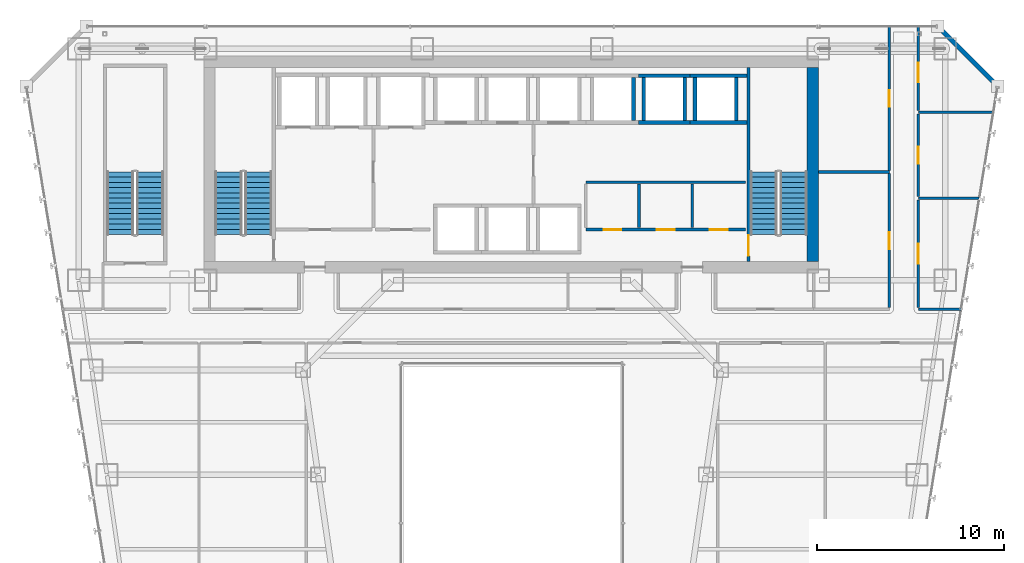
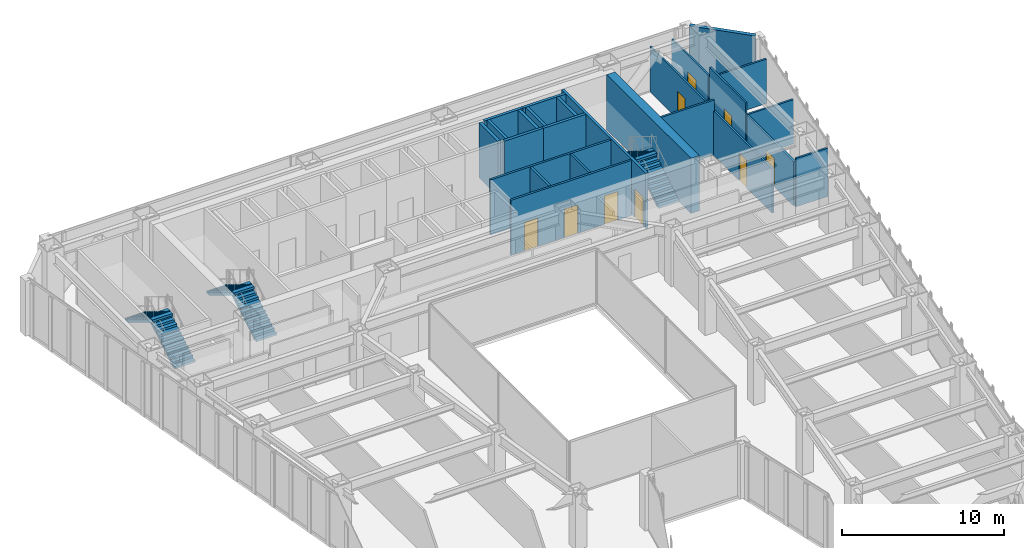
# One storey, part 38 of 49: 25 walls, 9 doors, 6 stair flights, 9 openings, 3 elements without a shape of their own.
"""IFC4 building model written with IfcOpenShell, lengths in metres."""

from ifc_helpers import new_model, si_unit, direction, frame, frame_2d, origin, place, context, subcontext, project, spatial, polyline, rectangle, outline, extrude, material, layer, layer_set, type_object, element, fill, aggregate, save


model = new_model("IFC4")

# Units and contexts
model_context = context("Model", 3, precision=1e-05, world=origin(), true_north=direction((0.0, 1.0)))
body_context = subcontext(model_context, "Body", "Model", "MODEL_VIEW")
ifc_project = project(units=[si_unit("LENGTHUNIT", "METRE"), si_unit("AREAUNIT", "SQUARE_METRE"), si_unit("VOLUMEUNIT", "CUBIC_METRE"), si_unit("PLANEANGLEUNIT", "RADIAN"), si_unit("MASSUNIT", "GRAM", prefix="KILO")], contexts=[model_context])

# Site, building, storey
site_placement = place(None, origin())
site = spatial("IfcSite", under=ifc_project, at=site_placement, CompositionType="ELEMENT")
building_placement = place(site_placement, origin())
building = spatial("IfcBuilding", under=site, at=building_placement, Name="Saevonmaru Cultural Tower", CompositionType="ELEMENT")
storey_placement = place(building_placement, frame((0.0, 0.0, 73.60009765625)))
storey = spatial("IfcBuildingStorey", under=building, at=storey_placement, Name="L15", CompositionType="ELEMENT", Elevation=73.60009765625)

# Wall
ifc_material_1 = material(Name="Concrete C60/75", Category="concrete")
ifc_layer_1 = layer(ifc_material_1, 0.60009765625, Name="Concrete C60/75")
ifc_layer_set_1 = layer_set([ifc_layer_1], Name="Concrete C60/75")
wall_type_1 = type_object("IfcWallType", Name="WL-CORE-600", PredefinedType="SHEAR", material=ifc_layer_set_1)
wall_1_placement = place(storey_placement, frame((46.10009765625, 43.39990234375, 0.0), z_axis=(0.0, 0.0, 1.0), x_axis=(0.0, 1.0, 0.0)))
element("IfcWall", 1, at=wall_1_placement, inside=storey, type_object=wall_type_1, Name="L15 Tower RC core shear wall E", PredefinedType="SHEAR", context=body_context, shape_type="SweptSolid", body=[
    extrude(rectangle(XDim=10.400146484375, YDim=0.60009765625, at=frame_2d((5.2001953125, 0.0))), origin(), (0.0, 0.0, 1.0), 4.14990234375),
])

# Wall, openings, doors
ifc_material_2 = material(Name="Gypsum Fireboard Partition", Category="gypsum")
ifc_layer_2 = layer(ifc_material_2, 0.14990234375, Name="Gypsum Fireboard Partition")
ifc_layer_set_2 = layer_set([ifc_layer_2], Name="Gypsum Fireboard Partition")
wall_type_2 = type_object("IfcWallType", Name="WL-CORE-PART-150", PredefinedType="PARTITIONING", material=ifc_layer_set_2)
wall_2_placement = place(storey_placement, frame((33.949951171875, 45.1201171875, 0.0), z_axis=(0.0, 0.0, 1.0), x_axis=(1.0, 0.0, 0.0)))
wall_2 = element("IfcWall", 2, at=wall_2_placement, inside=storey, type_object=wall_type_2, Name="L15 Core Utility South Wall", PredefinedType="PARTITIONING", context=body_context, shape_type="SweptSolid", body=[
    extrude(rectangle(XDim=8.550048828125, YDim=0.14990234375, at=frame_2d((4.27490234375, 0.0))), origin(), (0.0, 0.0, 1.0), 4.14990234375),
])
opening_1_placement = place(wall_2_placement, frame((0.949951171875, 0.0, 0.0)))
opening_1 = element("IfcOpeningElement", 3, at=opening_1_placement, cuts=wall_2, Name="Opening FD-4", PredefinedType="OPENING", context=body_context, shape_type="SweptSolid", body=[
    extrude(rectangle(XDim=0.949951171875, YDim=2.14990234375, at=frame_2d((0.47509765625, 1.074951171875))), frame((0.0, 0.0849609375, 0.0), z_axis=(0.0, -1.0, 0.0), x_axis=(1.0, 0.0, 0.0)), (0.0, 0.0, 1.0), 0.169921875),
])
opening_2_placement = place(wall_2_placement, frame((3.800048828125, 0.0, 0.0)))
opening_2 = element("IfcOpeningElement", 4, at=opening_2_placement, cuts=wall_2, Name="Opening FD-4", PredefinedType="OPENING", context=body_context, shape_type="SweptSolid", body=[
    extrude(rectangle(XDim=0.949951171875, YDim=2.14990234375, at=frame_2d((0.47509765625, 1.074951171875))), frame((0.0, 0.0849609375, 0.0), z_axis=(0.0, -1.0, 0.0), x_axis=(1.0, 0.0, 0.0)), (0.0, 0.0, 1.0), 0.169921875),
])
opening_3_placement = place(wall_2_placement, frame((6.64990234375, 0.0, 0.0)))
opening_3 = element("IfcOpeningElement", 5, at=opening_3_placement, cuts=wall_2, Name="Opening FD-4", PredefinedType="OPENING", context=body_context, shape_type="SweptSolid", body=[
    extrude(rectangle(XDim=0.949951171875, YDim=2.14990234375, at=frame_2d((0.47509765625, 1.074951171875))), frame((0.0, 0.0849609375, 0.0), z_axis=(0.0, -1.0, 0.0), x_axis=(1.0, 0.0, 0.0)), (0.0, 0.0, 1.0), 0.169921875),
])
ifc_material_3 = material(Name="Satin Bronze Anodised Aluminium", Category="aluminium")
door_type_1 = type_object("IfcDoorType", Name="DR-FD60-950", OperationType="SINGLE_SWING_LEFT", PredefinedType="DOOR", material=ifc_material_3)
door_1_placement = place(opening_1_placement, origin())
door_1 = element("IfcDoor", 6, at=door_1_placement, inside=storey, type_object=door_type_1, Name="L15 Meter Plant Door", OperationType="SINGLE_SWING_LEFT", OverallHeight=2.14990234375, OverallWidth=0.949951171875, PredefinedType="DOOR", context=body_context, shape_type="SweptSolid", body=[
    extrude(rectangle(XDim=0.949951171875, YDim=2.14990234375, at=frame_2d((0.47509765625, 1.074951171875))), frame((0.0, 0.02490234375, 0.0), z_axis=(0.0, -1.0, 0.0), x_axis=(1.0, 0.0, 0.0)), (0.0, 0.0, 1.0), 0.050048828125),
])
fill(opening_1, door_1)
door_2_placement = place(opening_2_placement, origin())
door_2 = element("IfcDoor", 7, at=door_2_placement, inside=storey, type_object=door_type_1, Name="L15 AV Rack Plant Door", OperationType="SINGLE_SWING_LEFT", OverallHeight=2.14990234375, OverallWidth=0.949951171875, PredefinedType="DOOR", context=body_context, shape_type="SweptSolid", body=[
    extrude(rectangle(XDim=0.949951171875, YDim=2.14990234375, at=frame_2d((0.47509765625, 1.074951171875))), frame((0.0, 0.02490234375, 0.0), z_axis=(0.0, -1.0, 0.0), x_axis=(1.0, 0.0, 0.0)), (0.0, 0.0, 1.0), 0.050048828125),
])
fill(opening_2, door_2)
door_3_placement = place(opening_3_placement, origin())
door_3 = element("IfcDoor", 8, at=door_3_placement, inside=storey, type_object=door_type_1, Name="L15 Archive Supply Storage Door", OperationType="SINGLE_SWING_LEFT", OverallHeight=2.14990234375, OverallWidth=0.949951171875, PredefinedType="DOOR", context=body_context, shape_type="SweptSolid", body=[
    extrude(rectangle(XDim=0.949951171875, YDim=2.14990234375, at=frame_2d((0.47509765625, 1.074951171875))), frame((0.0, 0.02490234375, 0.0), z_axis=(0.0, -1.0, 0.0), x_axis=(1.0, 0.0, 0.0)), (0.0, 0.0, 1.0), 0.050048828125),
])
fill(opening_3, door_3)

# Walls
wall_3_placement = place(storey_placement, frame((33.949951171875, 47.64990234375, 0.0), z_axis=(0.0, 0.0, 1.0), x_axis=(1.0, 0.0, 0.0)))
element("IfcWall", 9, at=wall_3_placement, inside=storey, type_object=wall_type_2, Name="L15 Core Utility North Wall", PredefinedType="PARTITIONING", context=body_context, shape_type="SweptSolid", body=[
    extrude(rectangle(XDim=8.550048828125, YDim=0.14990234375, at=frame_2d((4.27490234375, 0.0))), origin(), (0.0, 0.0, 1.0), 4.14990234375),
])
for number, where, z_axis, x_axis, name in (
    (10, (36.800048828125, 45.219970703125, 0.0), (0.0, 0.0, 1.0), (0.0, 1.0, 0.0), "L15 Utility Divider 1"),
    (11, (39.64990234375, 45.219970703125, 0.0), (0.0, 0.0, 1.0), (0.0, 1.0, 0.0), "L15 Utility Divider 2"),
):
    element("IfcWall", number, at=place(storey_placement, frame(where, z_axis=z_axis, x_axis=x_axis)), inside=storey, type_object=wall_type_2, Name=name, PredefinedType="PARTITIONING", context=body_context, shape_type="SweptSolid", body=[
        extrude(rectangle(XDim=2.330078125, YDim=0.14990234375, at=frame_2d((1.1650390625, 0.0))), origin(), (0.0, 0.0, 1.0), 4.14990234375),
    ])
ifc_material_4 = material(Name="Granite-Clad Precast Concrete C40/50", Category="masonry")
ifc_layer_3 = layer(ifc_material_4, 0.260009765625, Name="Granite-Clad Precast Concrete C40/50")
ifc_layer_set_3 = layer_set([ifc_layer_3], Name="Granite-Clad Precast Concrete C40/50")
wall_type_3 = type_object("IfcWallType", Name="WL-EXT-SPANDREL-260", PredefinedType="STANDARD", material=ifc_layer_set_3)
wall_4_placement = place(storey_placement, frame((55.886962890625, 52.9130859375, 0.0), z_axis=(0.0, 0.0, 1.0), x_axis=(-0.707106781187, 0.707106781187, 0.0)))
element("IfcWall", 12, at=wall_4_placement, inside=storey, type_object=wall_type_3, Name="L15 Chamfer Corner Spandrel Wall E9", PredefinedType="STANDARD", context=body_context, shape_type="SweptSolid", body=[
    extrude(rectangle(XDim=4.205810546875, YDim=0.260009765625, at=frame_2d((2.10302734375, 0.0))), origin(), (0.0, 0.0, 1.0), 4.14990234375),
])

# Wall, opening, door
ifc_layer_4 = layer(ifc_material_2, 0.14990234375, Name="Gypsum Fireboard Partition")
ifc_layer_set_4 = layer_set([ifc_layer_4], Name="Gypsum Fireboard Partition")
wall_type_4 = type_object("IfcWallType", Name="WL-PART-FIRE-150", PredefinedType="PARTITIONING", material=ifc_layer_set_4)
wall_5_placement = place(storey_placement, frame((51.75, 40.9375, 0.0), z_axis=(0.0, 0.0, 1.0), x_axis=(0.0, 1.0, 0.0)))
wall_5 = element("IfcWall", 13, at=wall_5_placement, inside=storey, type_object=wall_type_4, Name="L15 Sky Observatory Gallery Corridor Wall", PredefinedType="PARTITIONING", context=body_context, shape_type="SweptSolid", body=[
    extrude(rectangle(XDim=5.77490234375, YDim=0.14990234375, at=frame_2d((2.887451171875, 0.0))), origin(), (0.0, 0.0, 1.0), 3.3349609375),
])
opening_4_placement = place(wall_5_placement, frame((2.362060546875, 0.0, 0.0)))
opening_4 = element("IfcOpeningElement", 14, at=opening_4_placement, cuts=wall_5, Name="Opening ID-1", PredefinedType="OPENING", context=body_context, shape_type="SweptSolid", body=[
    extrude(rectangle(XDim=1.050048828125, YDim=2.14990234375, at=frame_2d((0.52490234375, 1.074951171875))), frame((0.0, 0.0849609375, 0.0), z_axis=(0.0, -1.0, 0.0), x_axis=(1.0, 0.0, 0.0)), (0.0, 0.0, 1.0), 0.169921875),
])
door_type_2 = type_object("IfcDoorType", Name="DR-INT-1050", OperationType="SINGLE_SWING_LEFT", PredefinedType="DOOR", material=ifc_material_3)
door_4_placement = place(opening_4_placement, origin())
door_4 = element("IfcDoor", 15, at=door_4_placement, inside=storey, type_object=door_type_2, Name="L15 Sky Observatory Gallery Door", OperationType="SINGLE_SWING_RIGHT", OverallHeight=2.14990234375, OverallWidth=1.050048828125, PredefinedType="DOOR", context=body_context, shape_type="SweptSolid", body=[
    extrude(rectangle(XDim=1.050048828125, YDim=2.14990234375, at=frame_2d((0.52490234375, 1.074951171875))), frame((0.0, 0.02490234375, 0.0), z_axis=(0.0, -1.0, 0.0), x_axis=(1.0, 0.0, 0.0)), (0.0, 0.0, 1.0), 0.050048828125),
])
fill(opening_4, door_4)

ifc_layer_5 = layer(ifc_material_2, 0.1201171875, Name="Gypsum Fireboard Partition")
ifc_layer_set_5 = layer_set([ifc_layer_5], Name="Gypsum Fireboard Partition")
wall_type_5 = type_object("IfcWallType", Name="WL-PART-GYP-120", PredefinedType="PARTITIONING", material=ifc_layer_set_5)
wall_6_placement = place(storey_placement, frame((50.199951171875, 48.2900390625, 0.0), z_axis=(0.0, 0.0, 1.0), x_axis=(0.0, 1.0, 0.0)))
wall_6 = element("IfcWall", 16, at=wall_6_placement, inside=storey, type_object=wall_type_5, Name="L15 Design Seminar Classroom Corridor Wall", PredefinedType="PARTITIONING", context=body_context, shape_type="SweptSolid", body=[
    extrude(rectangle(XDim=7.705078125, YDim=0.1201171875, at=frame_2d((3.8525390625, 0.0))), origin(), (0.0, 0.0, 1.0), 3.434814453125),
])
opening_5_placement = place(wall_6_placement, frame((3.402099609375, 0.0, 0.0)))
opening_5 = element("IfcOpeningElement", 17, at=opening_5_placement, cuts=wall_6, Name="Opening ID-2", PredefinedType="OPENING", context=body_context, shape_type="SweptSolid", body=[
    extrude(rectangle(XDim=0.89990234375, YDim=2.10009765625, at=frame_2d((0.449951171875, 1.050048828125))), frame((0.0, 0.070068359375, 0.0), z_axis=(0.0, -1.0, 0.0), x_axis=(1.0, 0.0, 0.0)), (0.0, 0.0, 1.0), 0.14013671875),
])
ifc_material_5 = material(Name="Acoustic Stained Oak Timber", Category="wood")
door_type_3 = type_object("IfcDoorType", Name="DR-INT-900", OperationType="SINGLE_SWING_RIGHT", PredefinedType="DOOR", material=ifc_material_5)
door_5_placement = place(opening_5_placement, origin())
door_5 = element("IfcDoor", 18, at=door_5_placement, inside=storey, type_object=door_type_3, Name="L15 Design Seminar Classroom Door", OperationType="SINGLE_SWING_LEFT", OverallHeight=2.10009765625, OverallWidth=0.89990234375, PredefinedType="DOOR", context=body_context, shape_type="SweptSolid", body=[
    extrude(rectangle(XDim=0.89990234375, YDim=2.10009765625, at=frame_2d((0.449951171875, 1.050048828125))), frame((0.0, 0.02490234375, 0.0), z_axis=(0.0, -1.0, 0.0), x_axis=(1.0, 0.0, 0.0)), (0.0, 0.0, 1.0), 0.050048828125),
])
fill(opening_5, door_5)

wall_7_placement = place(storey_placement, frame((51.75, 46.887451171875, 0.0), z_axis=(0.0, 0.0, 1.0), x_axis=(0.0, 1.0, 0.0)))
wall_7 = element("IfcWall", 19, at=wall_7_placement, inside=storey, type_object=wall_type_5, Name="L15 Civic Policy Meeting Room Corridor Wall", PredefinedType="PARTITIONING", context=body_context, shape_type="SweptSolid", body=[
    extrude(rectangle(XDim=4.425048828125, YDim=0.1201171875, at=frame_2d((2.21240234375, 0.0))), origin(), (0.0, 0.0, 1.0), 4.14990234375),
])
opening_6_placement = place(wall_7_placement, frame((1.761962890625, 0.0, 0.0)))
opening_6 = element("IfcOpeningElement", 20, at=opening_6_placement, cuts=wall_7, Name="Opening ID-2", PredefinedType="OPENING", context=body_context, shape_type="SweptSolid", body=[
    extrude(rectangle(XDim=0.89990234375, YDim=2.10009765625, at=frame_2d((0.449951171875, 1.050048828125))), frame((0.0, 0.070068359375, 0.0), z_axis=(0.0, -1.0, 0.0), x_axis=(1.0, 0.0, 0.0)), (0.0, 0.0, 1.0), 0.14013671875),
])
door_6_placement = place(opening_6_placement, origin())
door_6 = element("IfcDoor", 21, at=door_6_placement, inside=storey, type_object=door_type_3, Name="L15 Civic Policy Meeting Room Door", OperationType="SINGLE_SWING_LEFT", OverallHeight=2.10009765625, OverallWidth=0.89990234375, PredefinedType="DOOR", context=body_context, shape_type="SweptSolid", body=[
    extrude(rectangle(XDim=0.89990234375, YDim=2.10009765625, at=frame_2d((0.449951171875, 1.050048828125))), frame((0.0, 0.02490234375, 0.0), z_axis=(0.0, -1.0, 0.0), x_axis=(1.0, 0.0, 0.0)), (0.0, 0.0, 1.0), 0.050048828125),
])
fill(opening_6, door_6)

wall_8_placement = place(storey_placement, frame((51.75, 51.487548828125, 0.0), z_axis=(0.0, 0.0, 1.0), x_axis=(0.0, 1.0, 0.0)))
wall_8 = element("IfcWall", 22, at=wall_8_placement, inside=storey, type_object=wall_type_5, Name="L15 Panorama Reading Room Corridor Wall", PredefinedType="PARTITIONING", context=body_context, shape_type="SweptSolid", body=[
    extrude(rectangle(XDim=4.507568359375, YDim=0.1201171875, at=frame_2d((2.25390625, 0.0))), origin(), (0.0, 0.0, 1.0), 3.434814453125),
])
opening_7_placement = place(wall_8_placement, frame((1.509033203125, 0.0, 0.0)))
opening_7 = element("IfcOpeningElement", 23, at=opening_7_placement, cuts=wall_8, Name="Opening ID-1", PredefinedType="OPENING", context=body_context, shape_type="SweptSolid", body=[
    extrude(rectangle(XDim=1.050048828125, YDim=2.14990234375, at=frame_2d((0.52490234375, 1.074951171875))), frame((0.0, 0.070068359375, 0.0), z_axis=(0.0, -1.0, 0.0), x_axis=(1.0, 0.0, 0.0)), (0.0, 0.0, 1.0), 0.14013671875),
])
door_7_placement = place(opening_7_placement, origin())
door_7 = element("IfcDoor", 24, at=door_7_placement, inside=storey, type_object=door_type_2, Name="L15 Panorama Reading Room Door", OperationType="SINGLE_SWING_RIGHT", OverallHeight=2.14990234375, OverallWidth=1.050048828125, PredefinedType="DOOR", context=body_context, shape_type="SweptSolid", body=[
    extrude(rectangle(XDim=1.050048828125, YDim=2.14990234375, at=frame_2d((0.52490234375, 1.074951171875))), frame((0.0, 0.02490234375, 0.0), z_axis=(0.0, -1.0, 0.0), x_axis=(1.0, 0.0, 0.0)), (0.0, 0.0, 1.0), 0.050048828125),
])
fill(opening_7, door_7)

# Walls
ifc_layer_6 = layer(ifc_material_2, 0.135009765625, Name="Gypsum Fireboard Partition")
ifc_layer_set_6 = layer_set([ifc_layer_6], Name="Gypsum Fireboard Partition")
wall_type_6 = type_object("IfcWallType", Name="WL-PART-GYP-135", PredefinedType="PARTITIONING", material=ifc_layer_set_6)
wall_9_placement = place(storey_placement, frame((51.75, 40.85009765625, 0.0), z_axis=(0.0, 0.0, 1.0), x_axis=(1.0, 0.0, 0.0)))
element("IfcWall", 25, at=wall_9_placement, inside=storey, type_object=wall_type_6, Name="L15 NE Wing South Wall", PredefinedType="PARTITIONING", context=body_context, shape_type="SweptSolid", body=[
    extrude(rectangle(XDim=2.28662109375, YDim=0.135009765625, at=frame_2d((1.143310546875, 0.0))), origin(), (0.0, 0.0, 1.0), 3.635009765625),
])
wall_10_placement = place(storey_placement, frame((51.75, 46.800048828125, 0.0), z_axis=(0.0, 0.0, 1.0), x_axis=(1.0, 0.0, 0.0)))
element("IfcWall", 26, at=wall_10_placement, inside=storey, type_object=wall_type_6, Name="L15 NE Studio Divider 1", PredefinedType="PARTITIONING", context=body_context, shape_type="SweptSolid", body=[
    extrude(rectangle(XDim=3.26171875, YDim=0.135009765625, at=frame_2d((1.630859375, 0.0))), origin(), (0.0, 0.0, 1.0), 3.3349609375),
])
wall_11_placement = place(storey_placement, frame((51.75, 51.39990234375, 0.0), z_axis=(0.0, 0.0, 1.0), x_axis=(1.0, 0.0, 0.0)))
element("IfcWall", 27, at=wall_11_placement, inside=storey, type_object=wall_type_6, Name="L15 NE Studio Divider 2", PredefinedType="PARTITIONING", context=body_context, shape_type="SweptSolid", body=[
    extrude(rectangle(XDim=4.015380859375, YDim=0.135009765625, at=frame_2d((2.0078125, 0.0))), origin(), (0.0, 0.0, 1.0), 3.3349609375),
])
ifc_layer_7 = layer(ifc_material_2, 0.139892578125, Name="Gypsum Fireboard Partition")
ifc_layer_set_7 = layer_set([ifc_layer_7], Name="Gypsum Fireboard Partition")
wall_type_7 = type_object("IfcWallType", Name="WL-PART-WET-140", PredefinedType="PARTITIONING", material=ifc_layer_set_7)
wall_12_placement = place(storey_placement, frame((46.419921875, 48.199951171875, 0.0), z_axis=(0.0, 0.0, 1.0), x_axis=(1.0, 0.0, 0.0)))
element("IfcWall", 28, at=wall_12_placement, inside=storey, type_object=wall_type_7, Name="L15 Washroom North Wall", PredefinedType="PARTITIONING", context=body_context, shape_type="SweptSolid", body=[
    extrude(rectangle(XDim=3.780029296875, YDim=0.139892578125, at=frame_2d((1.89013671875, 0.0))), origin(), (0.0, 0.0, 1.0), 4.14990234375),
])

# Wall, opening, door
wall_13_placement = place(storey_placement, frame((50.199951171875, 40.93994140625, 0.0), z_axis=(0.0, 0.0, 1.0), x_axis=(0.0, 1.0, 0.0)))
wall_13 = element("IfcWall", 29, at=wall_13_placement, inside=storey, type_object=wall_type_7, Name="L15 Washroom Corridor Wall", PredefinedType="PARTITIONING", context=body_context, shape_type="SweptSolid", body=[
    extrude(rectangle(XDim=7.170166015625, YDim=0.139892578125, at=frame_2d((3.5849609375, 0.0))), origin(), (0.0, 0.0, 1.0), 3.3349609375),
])
opening_8_placement = place(wall_13_placement, frame((3.135009765625, 0.0, 0.0)))
opening_8 = element("IfcOpeningElement", 30, at=opening_8_placement, cuts=wall_13, Name="Opening ID-2", PredefinedType="OPENING", context=body_context, shape_type="SweptSolid", body=[
    extrude(rectangle(XDim=0.89990234375, YDim=2.10009765625, at=frame_2d((0.449951171875, 1.050048828125))), frame((0.0, 0.080078125, 0.0), z_axis=(0.0, -1.0, 0.0), x_axis=(1.0, 0.0, 0.0)), (0.0, 0.0, 1.0), 0.159912109375),
])
door_8_placement = place(opening_8_placement, origin())
door_8 = element("IfcDoor", 31, at=door_8_placement, inside=storey, type_object=door_type_3, Name="L15 Public Accessible Washrooms Door", OperationType="SINGLE_SWING_RIGHT", OverallHeight=2.10009765625, OverallWidth=0.89990234375, PredefinedType="DOOR", context=body_context, shape_type="SweptSolid", body=[
    extrude(rectangle(XDim=0.89990234375, YDim=2.10009765625, at=frame_2d((0.449951171875, 1.050048828125))), frame((0.0, 0.02490234375, 0.0), z_axis=(0.0, -1.0, 0.0), x_axis=(1.0, 0.0, 0.0)), (0.0, 0.0, 1.0), 0.050048828125),
])
fill(opening_8, door_8)

# Walls
ifc_material_6 = material(Name="Concrete C40/50", Category="concrete")
ifc_layer_8 = layer(ifc_material_6, 0.199951171875, Name="Concrete C40/50")
ifc_layer_set_8 = layer_set([ifc_layer_8], Name="Concrete C40/50")
wall_type_8 = type_object("IfcWallType", Name="WL-SHAFT-200", PredefinedType="SHEAR", material=ifc_layer_set_8)
wall_14_placement = place(storey_placement, frame((36.5, 50.949951171875, 0.0), z_axis=(0.0, 0.0, 1.0), x_axis=(0.0, 1.0, 0.0)))
element("IfcWall", 32, at=wall_14_placement, inside=storey, type_object=wall_type_8, Name="L15 Lift PL-H1 Hoistway Wall E", PredefinedType="SHEAR", context=body_context, shape_type="SweptSolid", body=[
    extrude(rectangle(XDim=2.300048828125, YDim=0.199951171875, at=frame_2d((1.14990234375, 0.0))), origin(), (0.0, 0.0, 1.0), 4.14990234375),
])
for number, where, z_axis, x_axis, name in (
    (33, (36.77490234375, 50.85009765625, 0.0), (0.0, 0.0, 1.0), (1.0, 0.0, 0.0), "L15 Lift PL-H2 Hoistway Wall S"),
    (34, (36.77490234375, 53.35009765625, 0.0), (0.0, 0.0, 1.0), (1.0, 0.0, 0.0), "L15 Lift PL-H2 Hoistway Wall N"),
):
    element("IfcWall", number, at=place(storey_placement, frame(where, z_axis=z_axis, x_axis=x_axis)), inside=storey, type_object=wall_type_8, Name=name, PredefinedType="SHEAR", context=body_context, shape_type="SweptSolid", body=[
        extrude(rectangle(XDim=2.75, YDim=0.199951171875, at=frame_2d((1.375, 0.0))), origin(), (0.0, 0.0, 1.0), 4.14990234375),
    ])
for number, where, z_axis, x_axis, name in (
    (35, (37.050048828125, 50.949951171875, 0.0), (0.0, 0.0, 1.0), (0.0, 1.0, 0.0), "L15 Lift PL-H2 Hoistway Wall W"),
    (36, (39.25, 50.949951171875, 0.0), (0.0, 0.0, 1.0), (0.0, 1.0, 0.0), "L15 Lift PL-H2 Hoistway Wall E"),
):
    element("IfcWall", number, at=place(storey_placement, frame(where, z_axis=z_axis, x_axis=x_axis)), inside=storey, type_object=wall_type_8, Name=name, PredefinedType="SHEAR", context=body_context, shape_type="SweptSolid", body=[
        extrude(rectangle(XDim=2.300048828125, YDim=0.199951171875, at=frame_2d((1.14990234375, 0.0))), origin(), (0.0, 0.0, 1.0), 4.14990234375),
    ])
for number, where, z_axis, x_axis, name in (
    (37, (39.52490234375, 50.85009765625, 0.0), (0.0, 0.0, 1.0), (1.0, 0.0, 0.0), "L15 Lift PL-H3 Hoistway Wall S"),
    (38, (39.52490234375, 53.35009765625, 0.0), (0.0, 0.0, 1.0), (1.0, 0.0, 0.0), "L15 Lift PL-H3 Hoistway Wall N"),
):
    element("IfcWall", number, at=place(storey_placement, frame(where, z_axis=z_axis, x_axis=x_axis)), inside=storey, type_object=wall_type_8, Name=name, PredefinedType="SHEAR", context=body_context, shape_type="SweptSolid", body=[
        extrude(rectangle(XDim=3.045166015625, YDim=0.199951171875, at=frame_2d((1.5224609375, 0.0))), origin(), (0.0, 0.0, 1.0), 4.14990234375),
    ])
for number, where, z_axis, x_axis, name in (
    (39, (39.800048828125, 50.949951171875, 0.0), (0.0, 0.0, 1.0), (0.0, 1.0, 0.0), "L15 Lift PL-H3 Hoistway Wall W"),
    (40, (42.0, 50.949951171875, 0.0), (0.0, 0.0, 1.0), (0.0, 1.0, 0.0), "L15 Lift PL-H3 Hoistway Wall E"),
):
    element("IfcWall", number, at=place(storey_placement, frame(where, z_axis=z_axis, x_axis=x_axis)), inside=storey, type_object=wall_type_8, Name=name, PredefinedType="SHEAR", context=body_context, shape_type="SweptSolid", body=[
        extrude(rectangle(XDim=2.300048828125, YDim=0.199951171875, at=frame_2d((1.14990234375, 0.0))), origin(), (0.0, 0.0, 1.0), 4.14990234375),
    ])

# Wall, opening, door
ifc_layer_9 = layer(ifc_material_6, 0.179931640625, Name="Concrete C40/50")
ifc_layer_set_9 = layer_set([ifc_layer_9], Name="Concrete C40/50")
wall_type_9 = type_object("IfcWallType", Name="WL-STSHAFT-180", PredefinedType="SHEAR", material=ifc_layer_set_9)
wall_15_placement = place(storey_placement, frame((42.659912109375, 53.800048828125, 0.0), z_axis=(0.0, 0.0, 1.0), x_axis=(0.0, -1.0, 0.0)))
wall_15 = element("IfcWall", 41, at=wall_15_placement, inside=storey, type_object=wall_type_9, Name="L15 Stair ST-2 Structural Shaft Wall 1", PredefinedType="SHEAR", context=body_context, shape_type="SweptSolid", body=[
    extrude(rectangle(XDim=10.400146484375, YDim=0.179931640625, at=frame_2d((5.2001953125, 0.0))), origin(), (0.0, 0.0, 1.0), 4.14990234375),
])
opening_9_placement = place(wall_15_placement, frame((8.989990234375, 0.0, 0.0)))
opening_9 = element("IfcOpeningElement", 42, at=opening_9_placement, cuts=wall_15, Name="Opening FD-2", PredefinedType="OPENING", context=body_context, shape_type="SweptSolid", body=[
    extrude(rectangle(XDim=1.10009765625, YDim=2.14990234375, at=frame_2d((0.550048828125, 1.074951171875))), frame((0.0, 0.10009765625, 0.0), z_axis=(0.0, -1.0, 0.0), x_axis=(1.0, 0.0, 0.0)), (0.0, 0.0, 1.0), 0.199951171875),
])
door_type_4 = type_object("IfcDoorType", Name="DR-FD60-1100", OperationType="SINGLE_SWING_LEFT", PredefinedType="DOOR", material=ifc_material_3)
door_9_placement = place(opening_9_placement, origin())
door_9 = element("IfcDoor", 43, at=door_9_placement, inside=storey, type_object=door_type_4, Name="L15 Protected Stair ST-2 Fire Door", OperationType="SINGLE_SWING_LEFT", OverallHeight=2.14990234375, OverallWidth=1.10009765625, PredefinedType="DOOR", context=body_context, shape_type="SweptSolid", body=[
    extrude(rectangle(XDim=1.10009765625, YDim=2.14990234375, at=frame_2d((0.550048828125, 1.074951171875))), frame((0.0, 0.02490234375, 0.0), z_axis=(0.0, -1.0, 0.0), x_axis=(1.0, 0.0, 0.0)), (0.0, 0.0, 1.0), 0.050048828125),
])
fill(opening_9, door_9)

# Stair, stair flights
stair_type = type_object("IfcStairType", Name="STR-DOGLEG-RC", PredefinedType="HALF_TURN_STAIR", material=ifc_material_6)
stair_1_placement = place(storey_placement, origin())
stair_1 = element("IfcStair", 44, at=stair_1_placement, inside=storey, type_object=stair_type, Name="L15 Protected exit stair ST-1", PredefinedType="HALF_TURN_STAIR")
ifc_material_7 = material(Name="Precast concrete C40/50", Category="concrete")
stair_flight_type = type_object("IfcStairFlightType", Name="STF-PRECAST-180", PredefinedType="STRAIGHT", material=ifc_material_7)
stair_flight_1_placement = place(storey_placement, frame((16.425048828125, 44.85009765625, 0.0), z_axis=(0.0, 0.0, 1.0), x_axis=(0.0, 1.0, 0.0)))
stair_flight_1 = element("IfcStairFlight", 45, at=stair_flight_1_placement, type_object=stair_flight_type, Name="ST-1-L15 flight 1", NumberOfRisers=13, NumberOfTreads=12, PredefinedType="STRAIGHT", RiserHeight=0.169230769, TreadLength=0.28, context=body_context, shape_type="SweptSolid", body=[
    extrude(outline(polyline([(0.0, 0.0), (0.0, 0.169189453125), (0.280029296875, 0.169189453125), (0.280029296875, 0.33837890625), (0.56005859375, 0.33837890625), (0.56005859375, 0.5078125), (0.840087890625, 0.5078125), (0.840087890625, 0.677001953125), (1.1201171875, 0.677001953125), (1.1201171875, 0.84619140625), (1.39990234375, 0.84619140625), (1.39990234375, 1.015380859375), (1.679931640625, 1.015380859375), (1.679931640625, 1.1845703125), (1.9599609375, 1.1845703125), (1.9599609375, 1.353759765625), (2.239990234375, 1.353759765625), (2.239990234375, 1.523193359375), (2.52001953125, 1.523193359375), (2.52001953125, 1.6923828125), (2.800048828125, 1.6923828125), (2.800048828125, 1.861572265625), (3.080078125, 1.861572265625), (3.080078125, 2.03076171875), (3.360107421875, 2.03076171875), (3.360107421875, 2.199951171875), (3.360107421875, 1.855712890625), (0.289794921875, 0.0), (0.0, 0.0)])), frame((0.0, 0.72509765625, 0.0), z_axis=(0.0, -1.0, 0.0), x_axis=(1.0, 0.0, 0.0)), (0.0, 0.0, 1.0), 1.449951171875),
])
stair_flight_2_placement = place(storey_placement, frame((14.824951171875, 48.2099609375, 2.199951171875), z_axis=(0.0, 0.0, 1.0), x_axis=(0.0, -1.0, 0.0)))
stair_flight_2 = element("IfcStairFlight", 46, at=stair_flight_2_placement, type_object=stair_flight_type, Name="ST-1-L15 flight 2", NumberOfRisers=13, NumberOfTreads=12, PredefinedType="STRAIGHT", RiserHeight=0.169230769, TreadLength=0.28, context=body_context, shape_type="SweptSolid", body=[
    extrude(outline(polyline([(0.0, 0.0), (0.0, 0.169189453125), (0.280029296875, 0.169189453125), (0.280029296875, 0.33837890625), (0.56005859375, 0.33837890625), (0.56005859375, 0.5078125), (0.840087890625, 0.5078125), (0.840087890625, 0.677001953125), (1.1201171875, 0.677001953125), (1.1201171875, 0.84619140625), (1.39990234375, 0.84619140625), (1.39990234375, 1.015380859375), (1.679931640625, 1.015380859375), (1.679931640625, 1.1845703125), (1.9599609375, 1.1845703125), (1.9599609375, 1.353759765625), (2.239990234375, 1.353759765625), (2.239990234375, 1.523193359375), (2.52001953125, 1.523193359375), (2.52001953125, 1.6923828125), (2.800048828125, 1.6923828125), (2.800048828125, 1.861572265625), (3.080078125, 1.861572265625), (3.080078125, 2.03076171875), (3.360107421875, 2.03076171875), (3.360107421875, 2.199951171875), (3.360107421875, 1.855712890625), (0.289794921875, 0.0), (0.0, 0.0)])), frame((0.0, 0.72509765625, 0.0), z_axis=(0.0, -1.0, 0.0), x_axis=(1.0, 0.0, 0.0)), (0.0, 0.0, 1.0), 1.449951171875),
])
aggregate(stair_1, [stair_flight_1, stair_flight_2])

stair_2_placement = place(storey_placement, origin())
stair_2 = element("IfcStair", 47, at=stair_2_placement, inside=storey, type_object=stair_type, Name="L15 Protected exit stair ST-2", PredefinedType="HALF_TURN_STAIR")
stair_flight_3_placement = place(storey_placement, frame((45.074951171875, 44.85009765625, 0.0), z_axis=(0.0, 0.0, 1.0), x_axis=(0.0, 1.0, 0.0)))
stair_flight_3 = element("IfcStairFlight", 48, at=stair_flight_3_placement, type_object=stair_flight_type, Name="ST-2-L15 flight 1", NumberOfRisers=13, NumberOfTreads=12, PredefinedType="STRAIGHT", RiserHeight=0.169230769, TreadLength=0.28, context=body_context, shape_type="SweptSolid", body=[
    extrude(outline(polyline([(0.0, 0.0), (0.0, 0.169189453125), (0.280029296875, 0.169189453125), (0.280029296875, 0.33837890625), (0.56005859375, 0.33837890625), (0.56005859375, 0.5078125), (0.840087890625, 0.5078125), (0.840087890625, 0.677001953125), (1.1201171875, 0.677001953125), (1.1201171875, 0.84619140625), (1.39990234375, 0.84619140625), (1.39990234375, 1.015380859375), (1.679931640625, 1.015380859375), (1.679931640625, 1.1845703125), (1.9599609375, 1.1845703125), (1.9599609375, 1.353759765625), (2.239990234375, 1.353759765625), (2.239990234375, 1.523193359375), (2.52001953125, 1.523193359375), (2.52001953125, 1.6923828125), (2.800048828125, 1.6923828125), (2.800048828125, 1.861572265625), (3.080078125, 1.861572265625), (3.080078125, 2.03076171875), (3.360107421875, 2.03076171875), (3.360107421875, 2.199951171875), (3.360107421875, 1.855712890625), (0.289794921875, 0.0), (0.0, 0.0)])), frame((0.0, 0.72509765625, 0.0), z_axis=(0.0, -1.0, 0.0), x_axis=(1.0, 0.0, 0.0)), (0.0, 0.0, 1.0), 1.449951171875),
])
stair_flight_4_placement = place(storey_placement, frame((43.47509765625, 48.2099609375, 2.199951171875), z_axis=(0.0, 0.0, 1.0), x_axis=(0.0, -1.0, 0.0)))
stair_flight_4 = element("IfcStairFlight", 49, at=stair_flight_4_placement, type_object=stair_flight_type, Name="ST-2-L15 flight 2", NumberOfRisers=13, NumberOfTreads=12, PredefinedType="STRAIGHT", RiserHeight=0.169230769, TreadLength=0.28, context=body_context, shape_type="SweptSolid", body=[
    extrude(outline(polyline([(0.0, 0.0), (0.0, 0.169189453125), (0.280029296875, 0.169189453125), (0.280029296875, 0.33837890625), (0.56005859375, 0.33837890625), (0.56005859375, 0.5078125), (0.840087890625, 0.5078125), (0.840087890625, 0.677001953125), (1.1201171875, 0.677001953125), (1.1201171875, 0.84619140625), (1.39990234375, 0.84619140625), (1.39990234375, 1.015380859375), (1.679931640625, 1.015380859375), (1.679931640625, 1.1845703125), (1.9599609375, 1.1845703125), (1.9599609375, 1.353759765625), (2.239990234375, 1.353759765625), (2.239990234375, 1.523193359375), (2.52001953125, 1.523193359375), (2.52001953125, 1.6923828125), (2.800048828125, 1.6923828125), (2.800048828125, 1.861572265625), (3.080078125, 1.861572265625), (3.080078125, 2.03076171875), (3.360107421875, 2.03076171875), (3.360107421875, 2.199951171875), (3.360107421875, 1.855712890625), (0.289794921875, 0.0), (0.0, 0.0)])), frame((0.0, 0.72509765625, 0.0), z_axis=(0.0, -1.0, 0.0), x_axis=(1.0, 0.0, 0.0)), (0.0, 0.0, 1.0), 1.449951171875),
])
aggregate(stair_2, [stair_flight_3, stair_flight_4])

stair_3_placement = place(storey_placement, origin())
stair_3 = element("IfcStair", 50, at=stair_3_placement, inside=storey, type_object=stair_type, Name="L15 Protected exit stair ST-3", PredefinedType="HALF_TURN_STAIR")
stair_flight_5_placement = place(storey_placement, frame((10.625, 44.85009765625, 0.0), z_axis=(0.0, 0.0, 1.0), x_axis=(0.0, 1.0, 0.0)))
stair_flight_5 = element("IfcStairFlight", 51, at=stair_flight_5_placement, type_object=stair_flight_type, Name="ST-3-L15 flight 1", NumberOfRisers=13, NumberOfTreads=12, PredefinedType="STRAIGHT", RiserHeight=0.169230769, TreadLength=0.28, context=body_context, shape_type="SweptSolid", body=[
    extrude(outline(polyline([(0.0, 0.0), (0.0, 0.169189453125), (0.280029296875, 0.169189453125), (0.280029296875, 0.33837890625), (0.56005859375, 0.33837890625), (0.56005859375, 0.5078125), (0.840087890625, 0.5078125), (0.840087890625, 0.677001953125), (1.1201171875, 0.677001953125), (1.1201171875, 0.84619140625), (1.39990234375, 0.84619140625), (1.39990234375, 1.015380859375), (1.679931640625, 1.015380859375), (1.679931640625, 1.1845703125), (1.9599609375, 1.1845703125), (1.9599609375, 1.353759765625), (2.239990234375, 1.353759765625), (2.239990234375, 1.523193359375), (2.52001953125, 1.523193359375), (2.52001953125, 1.6923828125), (2.800048828125, 1.6923828125), (2.800048828125, 1.861572265625), (3.080078125, 1.861572265625), (3.080078125, 2.03076171875), (3.360107421875, 2.03076171875), (3.360107421875, 2.199951171875), (3.360107421875, 1.855712890625), (0.289794921875, 0.0), (0.0, 0.0)])), frame((0.0, 0.72509765625, 0.0), z_axis=(0.0, -1.0, 0.0), x_axis=(1.0, 0.0, 0.0)), (0.0, 0.0, 1.0), 1.449951171875),
])
stair_flight_6_placement = place(storey_placement, frame((9.02490234375, 48.2099609375, 2.199951171875), z_axis=(0.0, 0.0, 1.0), x_axis=(0.0, -1.0, 0.0)))
stair_flight_6 = element("IfcStairFlight", 52, at=stair_flight_6_placement, type_object=stair_flight_type, Name="ST-3-L15 flight 2", NumberOfRisers=13, NumberOfTreads=12, PredefinedType="STRAIGHT", RiserHeight=0.169230769, TreadLength=0.28, context=body_context, shape_type="SweptSolid", body=[
    extrude(outline(polyline([(0.0, 0.0), (0.0, 0.169189453125), (0.280029296875, 0.169189453125), (0.280029296875, 0.33837890625), (0.56005859375, 0.33837890625), (0.56005859375, 0.5078125), (0.840087890625, 0.5078125), (0.840087890625, 0.677001953125), (1.1201171875, 0.677001953125), (1.1201171875, 0.84619140625), (1.39990234375, 0.84619140625), (1.39990234375, 1.015380859375), (1.679931640625, 1.015380859375), (1.679931640625, 1.1845703125), (1.9599609375, 1.1845703125), (1.9599609375, 1.353759765625), (2.239990234375, 1.353759765625), (2.239990234375, 1.523193359375), (2.52001953125, 1.523193359375), (2.52001953125, 1.6923828125), (2.800048828125, 1.6923828125), (2.800048828125, 1.861572265625), (3.080078125, 1.861572265625), (3.080078125, 2.03076171875), (3.360107421875, 2.03076171875), (3.360107421875, 2.199951171875), (3.360107421875, 1.855712890625), (0.289794921875, 0.0), (0.0, 0.0)])), frame((0.0, 0.72509765625, 0.0), z_axis=(0.0, -1.0, 0.0), x_axis=(1.0, 0.0, 0.0)), (0.0, 0.0, 1.0), 1.449951171875),
])
aggregate(stair_3, [stair_flight_5, stair_flight_6])

save(model, "model.ifc")
